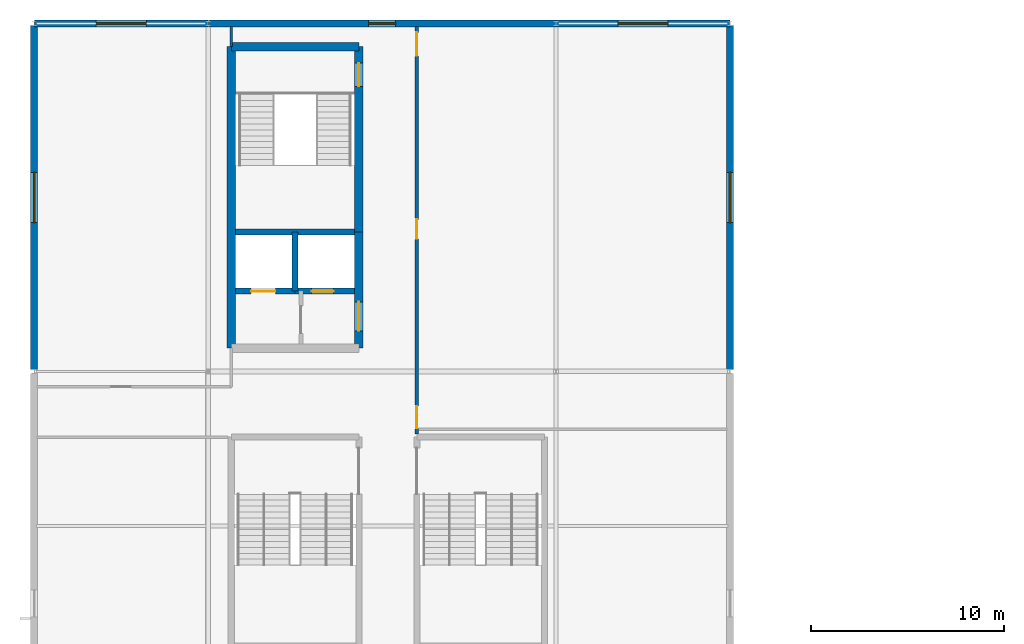
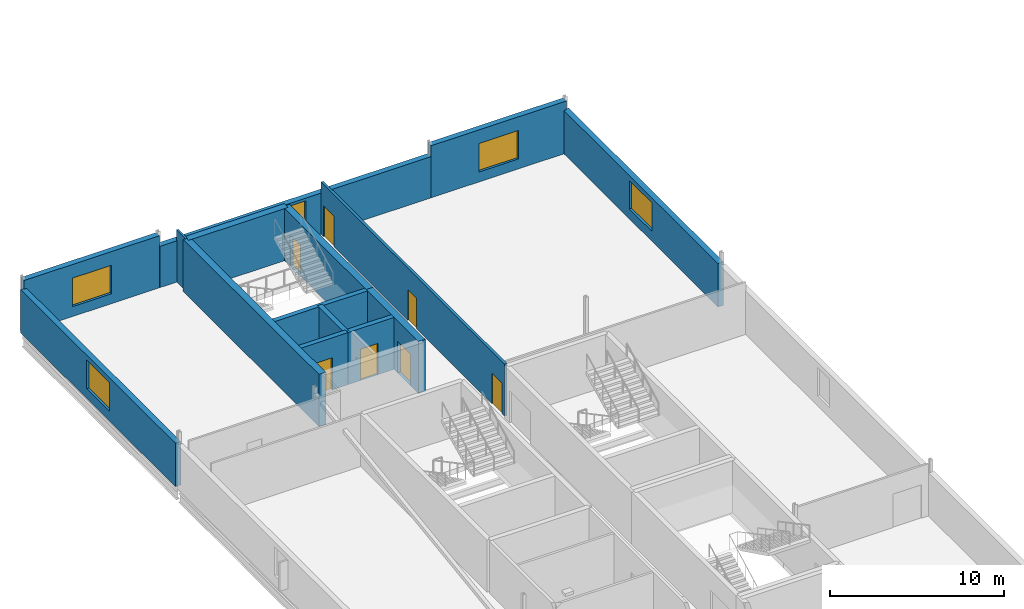
# One storey, part 21 of 35: 15 walls, 7 doors, 5 windows, 12 openings.
"""IFC4 building model written with IfcOpenShell, lengths in metres."""

import ifcopenshell
import ifcopenshell.guid

model = None  # the IFC model being written
_history = None  # IfcOwnerHistory: only IFC2X3 demands one
_inside = {}  # id of a spatial element -> (the spatial element, [elements in it])
_under = {}  # id of a project, library or spatial element -> (it, [spatial elements below it])
_declared = {}  # id of a project -> (the project, [libraries it declares])
_typed = {}  # id of a type object -> (the type object, [elements of that type])
_made_of = {}  # id of a material, layer set ... -> (it, [elements and type objects made of it])


def new_model(schema):
    """Start an empty IFC model of exactly this schema.

    Asked for "IFC4X3", IfcOpenShell would pick the latest addendum, in which some entities
    have other attributes; the version numbers below select the first issue.
    IFC2X3 requires an IfcOwnerHistory on every rooted entity: one is made here for all.
    """
    global model, _history
    if schema == "IFC4X3":
        model = ifcopenshell.file(schema_version=(4, 3, 0, 0))
    else:
        model = ifcopenshell.file(schema=schema)
    _inside.clear()
    _under.clear()
    _declared.clear()
    _typed.clear()
    _made_of.clear()
    _history = None
    if model.schema == "IFC2X3":
        org = make("IfcOrganization", Name="unknown")
        user = make(
            "IfcPersonAndOrganization",
            ThePerson=make("IfcPerson", FamilyName="unknown"),
            TheOrganization=org,
        )
        app = make(
            "IfcApplication",
            ApplicationDeveloper=org,
            Version="unknown",
            ApplicationFullName="unknown",
            ApplicationIdentifier="unknown",
        )
        _history = make(
            "IfcOwnerHistory",
            OwningUser=user,
            OwningApplication=app,
            ChangeAction="ADDED",
            CreationDate=0,
        )
    return model


def make(cls, **values):
    """One entity of the class cls with the attributes given. An attribute that is None is left unset."""
    return model.create_entity(
        cls, **{name: value for name, value in values.items() if value is not None}
    )


def rooted(cls, **values):
    """An entity with a GlobalId (a new one), such as an element, a storey or a relation."""
    return make(cls, GlobalId=ifcopenshell.guid.new(), OwnerHistory=_history, **values)


def si_unit(unit_type, name, prefix=None):
    """IfcSIUnit, for example si_unit("LENGTHUNIT", "METRE", prefix="MILLI")."""
    return make("IfcSIUnit", UnitType=unit_type, Prefix=prefix, Name=name)


def assignment(units):
    """IfcUnitAssignment: the units of a project."""
    return None if units is None else make("IfcUnitAssignment", Units=units)


def point(xyz):
    """IfcCartesianPoint."""
    return None if xyz is None else make("IfcCartesianPoint", Coordinates=xyz)


def direction(xyz):
    """IfcDirection."""
    return None if xyz is None else make("IfcDirection", DirectionRatios=xyz)


def frame(location, z_axis=None, x_axis=None):
    """IfcAxis2Placement3D, a coordinate frame: its origin and axes. An axis left out is left unset."""
    return make(
        "IfcAxis2Placement3D",
        Location=point(location),
        Axis=direction(z_axis),
        RefDirection=direction(x_axis),
    )


def frame_2d(location, x_axis=None):
    """IfcAxis2Placement2D, a coordinate frame in the plane: its origin and x axis."""
    return make(
        "IfcAxis2Placement2D", Location=point(location), RefDirection=direction(x_axis)
    )


def origin():
    """The frame at (0, 0, 0) with its axes left unset."""
    return frame((0.0, 0.0, 0.0))


def place(relative_to, where):
    """IfcLocalPlacement: puts the frame where relative to a parent placement (None: the world)."""
    return make(
        "IfcLocalPlacement", PlacementRelTo=relative_to, RelativePlacement=where
    )


def context(
    kind, dimensions, precision=None, world=None, true_north=None, identifier=None
):
    """IfcGeometricRepresentationContext, for example the 3D "Model" context."""
    return make(
        "IfcGeometricRepresentationContext",
        ContextIdentifier=identifier,
        ContextType=kind,
        CoordinateSpaceDimension=dimensions,
        Precision=precision,
        WorldCoordinateSystem=world,
        TrueNorth=true_north,
    )


def subcontext(parent, identifier, kind, view, scale=None):
    """IfcGeometricRepresentationSubContext, for example "Body" below "Model"."""
    return make(
        "IfcGeometricRepresentationSubContext",
        ContextIdentifier=identifier,
        ContextType=kind,
        ParentContext=parent,
        TargetScale=scale,
        TargetView=view,
    )


def project(units=None, contexts=None):
    """IfcProject with its units and contexts."""
    return rooted(
        "IfcProject",
        Name="project",
        RepresentationContexts=contexts,
        UnitsInContext=assignment(units),
    )


def spatial(cls, under=None, at=None, **own):
    """A site, building, storey or space (cls), placed at a placement, below another one or the project."""
    s = rooted(cls, ObjectPlacement=at, **own)
    if under is not None:
        _under.setdefault(under.id(), (under, []))[1].append(s)
    return s


def profile(cls, at=None, kind="AREA", **sizes):
    """A parametric profile (cls). Its sizes go by their IFC names, for example OverallWidth=200.0."""
    return make(cls, ProfileType=kind, Position=at, **sizes)


def rectangle(**sizes):
    """IfcRectangleProfileDef."""
    return profile("IfcRectangleProfileDef", **sizes)


def extrude(swept, where, along, depth):
    """IfcExtrudedAreaSolid: the profile swept, set in the frame where, extruded along a direction by depth."""
    return make(
        "IfcExtrudedAreaSolid",
        SweptArea=swept,
        Position=where,
        ExtrudedDirection=direction(along),
        Depth=depth,
    )


def shape(context_of_items, identifier, shape_type, items):
    """IfcShapeRepresentation: the items that make up one representation, for example the "Body"."""
    return make(
        "IfcShapeRepresentation",
        ContextOfItems=context_of_items,
        RepresentationIdentifier=identifier,
        RepresentationType=shape_type,
        Items=items,
    )


def material(Name=None, Category=None):
    """IfcMaterial."""
    return make("IfcMaterial", Name=Name, Category=Category)


def layer(
    of_material, thickness, ventilated=None, Name=None, Category=None, Priority=None
):
    """IfcMaterialLayer: one layer of a wall or slab, of a material (None: an air gap)."""
    return make(
        "IfcMaterialLayer",
        Material=of_material,
        LayerThickness=thickness,
        IsVentilated=ventilated,
        Name=Name,
        Category=Category,
        Priority=Priority,
    )


def layer_set(layers, Name=None):
    """IfcMaterialLayerSet."""
    return make("IfcMaterialLayerSet", MaterialLayers=layers, LayerSetName=Name)


def made_of(thing, what):
    """Note that an element or type object is made of a material, layer set ...; save() writes the relation."""
    if what is not None:
        _made_of.setdefault(what.id(), (what, []))[1].append(thing)
    return thing


def type_object(cls, material=None, **own):
    """A type object (cls), such as IfcWallType, which elements share."""
    return made_of(rooted(cls, **own), material)


def element(
    cls,
    number,
    at=None,
    inside=None,
    cuts=None,
    type_object=None,
    material=None,
    context=None,
    identifier="Body",
    shape_type=None,
    held_by="IfcProductDefinitionShape",
    body=None,
    shapes=None,
    **own,
):
    """One element of the class cls, such as IfcWall. Its Tag is "e" and its number.

    at: its placement. inside: the storey or other place that contains it. cuts: it is an
    opening in that element (IfcRelVoidsElement). A single representation is given by context,
    identifier, shape_type and body (its items); several are given by shapes. held_by: the class
    of the entity that holds the representations. save() writes the other relations.
    """
    e = rooted(cls, Tag="e%d" % number, ObjectPlacement=at, **own)
    if body is not None:
        shapes = [shape(context, identifier, shape_type, body)]
    if shapes is not None:
        e.Representation = make(held_by, Representations=shapes)
    if inside is not None:
        _inside.setdefault(inside.id(), (inside, []))[1].append(e)
    if cuts is not None:
        rooted(
            "IfcRelVoidsElement", RelatingBuildingElement=cuts, RelatedOpeningElement=e
        )
    if type_object is not None:
        _typed.setdefault(type_object.id(), (type_object, []))[1].append(e)
    return made_of(e, material)


def fill(opening, filler):
    """IfcRelFillsElement: the door or window that sits in an opening."""
    return rooted(
        "IfcRelFillsElement",
        RelatingOpeningElement=opening,
        RelatedBuildingElement=filler,
    )


def aggregate(whole, parts):
    """IfcRelAggregates: a whole, such as a stair, and the parts it consists of."""
    return rooted("IfcRelAggregates", RelatingObject=whole, RelatedObjects=parts)


def save(model, path):
    """Write the relations noted so far, then the file.

    IfcRelAggregates (storeys below a building ...), IfcRelContainedInSpatialStructure (elements
    in a storey), IfcRelDefinesByType, IfcRelAssociatesMaterial and IfcRelDeclares: one each for
    every whole, place, type object, material and project.
    """
    for whole, parts in _under.values():
        aggregate(whole, parts)
    for where, things in _inside.values():
        rooted(
            "IfcRelContainedInSpatialStructure",
            RelatedElements=things,
            RelatingStructure=where,
        )
    for kind, things in _typed.values():
        rooted("IfcRelDefinesByType", RelatedObjects=things, RelatingType=kind)
    for what, things in _made_of.values():
        rooted("IfcRelAssociatesMaterial", RelatedObjects=things, RelatingMaterial=what)
    for by, libraries in _declared.values():
        rooted("IfcRelDeclares", RelatingContext=by, RelatedDefinitions=libraries)
    model.write(path)


model = new_model("IFC4")

# Units and contexts
model_context = context("Model", 3, precision=1e-05, world=origin(), true_north=direction((0.0, 1.0)))
body_context = subcontext(model_context, "Body", "Model", "MODEL_VIEW")
ifc_project = project(units=[si_unit("LENGTHUNIT", "METRE"), si_unit("AREAUNIT", "SQUARE_METRE"), si_unit("VOLUMEUNIT", "CUBIC_METRE"), si_unit("PLANEANGLEUNIT", "RADIAN"), si_unit("MASSUNIT", "GRAM", prefix="KILO")], contexts=[model_context])

# Site, building, storey
site_placement = place(None, origin())
site = spatial("IfcSite", under=ifc_project, at=site_placement, CompositionType="ELEMENT")
building_placement = place(site_placement, origin())
building = spatial("IfcBuilding", under=site, at=building_placement, Name="Kisiwana Market Hall", CompositionType="ELEMENT")
storey_placement = place(building_placement, frame((0.0, 0.0, 57.89990234375)))
storey = spatial("IfcBuildingStorey", under=building, at=storey_placement, Name="L13", CompositionType="ELEMENT", Elevation=57.89990234375)

# Walls
ifc_material_1 = material(Name="Concrete C40/50", Category="concrete")
ifc_layer_1 = layer(ifc_material_1, 0.320068359375, Name="Reinforced concrete shaft wall")
ifc_layer_set_1 = layer_set([ifc_layer_1], Name="WL-CORE-320")
wall_type_1 = type_object("IfcWallType", Name="WL-CORE-320", PredefinedType="SHEAR", material=ifc_layer_set_1)
wall_1_placement = place(storey_placement, frame((10.425048828125, 91.215087890625, 0.0), z_axis=(0.0, 0.0, 1.0), x_axis=(1.0, 0.0, 0.0)))
element("IfcWall", 1, at=wall_1_placement, inside=storey, type_object=wall_type_1, Name="Core W1 shaft back shear wall W-3063", PredefinedType="SHEAR", context=body_context, shape_type="SweptSolid", body=[
    extrude(rectangle(XDim=6.14990234375, YDim=0.320068359375, at=frame_2d((3.074951171875, 0.0))), origin(), (0.0, 0.0, 1.0), 3.655029296875),
])
wall_2_placement = place(storey_placement, frame((13.5, 88.155029296875, 0.0), z_axis=(0.0, 0.0, 1.0), x_axis=(0.0, 1.0, 0.0)))
element("IfcWall", 2, at=wall_2_placement, inside=storey, type_object=wall_type_1, Name="Core W1 inter-shaft shear wall W-3064", PredefinedType="SHEAR", context=body_context, shape_type="SweptSolid", body=[
    extrude(rectangle(XDim=3.06005859375, YDim=0.320068359375, at=frame_2d((1.530029296875, 0.0))), origin(), (0.0, 0.0, 1.0), 3.655029296875),
])

# Wall, opening, door
wall_3_placement = place(storey_placement, frame((10.425048828125, 88.155029296875, 0.0), z_axis=(0.0, 0.0, 1.0), x_axis=(1.0, 0.0, 0.0)))
wall_3 = element("IfcWall", 3, at=wall_3_placement, inside=storey, type_object=wall_type_1, Name="Core W1 west lift front wall W-3065", PredefinedType="SHEAR", context=body_context, shape_type="SweptSolid", body=[
    extrude(rectangle(XDim=3.074951171875, YDim=0.320068359375, at=frame_2d((1.53759765625, 0.0))), origin(), (0.0, 0.0, 1.0), 3.655029296875),
])
opening_1_placement = place(wall_3_placement, frame((0.800048828125, 0.0, 0.0)))
opening_1 = element("IfcOpeningElement", 4, at=opening_1_placement, cuts=wall_3, Name="Opening LD-L13-003", PredefinedType="OPENING", context=body_context, shape_type="SweptSolid", body=[
    extrude(rectangle(XDim=1.25, YDim=2.25, at=frame_2d((0.625, 1.125))), frame((0.0, 0.171875, 0.0), z_axis=(0.0, -1.0, 0.0), x_axis=(1.0, 0.0, 0.0)), (0.0, 0.0, 1.0), 0.343994140625),
])
ifc_material_2 = material(Name="Steel S275", Category="steel")
door_type_1 = type_object("IfcDoorType", Name="DR-LIFT-FFL-1250", OperationType="DOUBLE_DOOR_SLIDING", PredefinedType="DOOR", material=ifc_material_2)
door_1_placement = place(opening_1_placement, origin())
door_1 = element("IfcDoor", 5, at=door_1_placement, inside=storey, type_object=door_type_1, Name="Lift Landing Door FFL-02 (L13)", OperationType="DOUBLE_DOOR_SLIDING", OverallHeight=2.25, OverallWidth=1.25, PredefinedType="DOOR", context=body_context, shape_type="SweptSolid", body=[
    extrude(rectangle(XDim=1.25, YDim=2.25, at=frame_2d((0.625, 1.125))), frame((0.0, 0.02490234375, 0.0), z_axis=(0.0, -1.0, 0.0), x_axis=(1.0, 0.0, 0.0)), (0.0, 0.0, 1.0), 0.050048828125),
])
fill(opening_1, door_1)

wall_4_placement = place(storey_placement, frame((13.5, 88.155029296875, 0.0), z_axis=(0.0, 0.0, 1.0), x_axis=(1.0, 0.0, 0.0)))
wall_4 = element("IfcWall", 6, at=wall_4_placement, inside=storey, type_object=wall_type_1, Name="Core W1 east lift front wall W-3066", PredefinedType="SHEAR", context=body_context, shape_type="SweptSolid", body=[
    extrude(rectangle(XDim=3.074951171875, YDim=0.320068359375, at=frame_2d((1.53759765625, 0.0))), origin(), (0.0, 0.0, 1.0), 3.655029296875),
])
opening_2_placement = place(wall_4_placement, frame((0.85009765625, 0.0, 0.0)))
opening_2 = element("IfcOpeningElement", 7, at=opening_2_placement, cuts=wall_4, Name="Opening LD-L13-004", PredefinedType="OPENING", context=body_context, shape_type="SweptSolid", body=[
    extrude(rectangle(XDim=1.14990234375, YDim=2.199951171875, at=frame_2d((0.574951171875, 1.10009765625))), frame((0.0, 0.171875, 0.0), z_axis=(0.0, -1.0, 0.0), x_axis=(1.0, 0.0, 0.0)), (0.0, 0.0, 1.0), 0.343994140625),
])
ifc_material_3 = material(Name="Steel S275", Category="steel")
door_type_2 = type_object("IfcDoorType", Name="DR-LIFT-PAX-1150", OperationType="DOUBLE_DOOR_SLIDING", PredefinedType="DOOR", material=ifc_material_3)
door_2_placement = place(opening_2_placement, origin())
door_2 = element("IfcDoor", 8, at=door_2_placement, inside=storey, type_object=door_type_2, Name="Lift Landing Door LP-02 (L13)", OperationType="DOUBLE_DOOR_SLIDING", OverallHeight=2.199951171875, OverallWidth=1.14990234375, PredefinedType="DOOR", context=body_context, shape_type="SweptSolid", body=[
    extrude(rectangle(XDim=1.14990234375, YDim=2.199951171875, at=frame_2d((0.574951171875, 1.10009765625))), frame((0.0, 0.02490234375, 0.0), z_axis=(0.0, -1.0, 0.0), x_axis=(1.0, 0.0, 0.0)), (0.0, 0.0, 1.0), 0.050048828125),
])
fill(opening_2, door_2)

# Walls
ifc_material_4 = material(Name="Concrete C40/50", Category="concrete")
ifc_layer_2 = layer(ifc_material_4, 0.449951171875, Name="Reinforced concrete core wall")
ifc_layer_set_2 = layer_set([ifc_layer_2], Name="WL-CORE-450")
wall_type_2 = type_object("IfcWallType", Name="WL-CORE-450", PredefinedType="SHEAR", material=ifc_layer_set_2)
wall_5_placement = place(storey_placement, frame((10.199951171875, 100.800048828125, 0.0), z_axis=(0.0, 0.0, 1.0), x_axis=(1.0, 0.0, 0.0)))
element("IfcWall", 9, at=wall_5_placement, inside=storey, type_object=wall_type_2, Name="Core W1 north shear wall W-3059", PredefinedType="SHEAR", context=body_context, shape_type="SweptSolid", body=[
    extrude(rectangle(XDim=6.60009765625, YDim=0.449951171875, at=frame_2d((3.300048828125, 0.0))), origin(), (0.0, 0.0, 1.0), 3.655029296875),
])
wall_6_placement = place(storey_placement, frame((10.199951171875, 85.199951171875, 0.0), z_axis=(0.0, 0.0, 1.0), x_axis=(0.0, 1.0, 0.0)))
element("IfcWall", 10, at=wall_6_placement, inside=storey, type_object=wall_type_2, Name="Core W1 outer shear wall W-3060", PredefinedType="SHEAR", context=body_context, shape_type="SweptSolid", body=[
    extrude(rectangle(XDim=15.60009765625, YDim=0.449951171875, at=frame_2d((7.800048828125, 0.0))), origin(), (0.0, 0.0, 1.0), 3.655029296875),
])

# Wall, opening, door
wall_7_placement = place(storey_placement, frame((16.800048828125, 85.199951171875, 0.0), z_axis=(0.0, 0.0, 1.0), x_axis=(0.0, 1.0, 0.0)))
wall_7 = element("IfcWall", 11, at=wall_7_placement, inside=storey, type_object=wall_type_2, Name="Core W1 lobby corridor shear wall W-3061", PredefinedType="SHEAR", context=body_context, shape_type="SweptSolid", body=[
    extrude(rectangle(XDim=6.01513671875, YDim=0.449951171875, at=frame_2d((3.007568359375, 0.0))), origin(), (0.0, 0.0, 1.0), 3.655029296875),
])
opening_3_placement = place(wall_7_placement, frame((0.89990234375, 0.0, 0.0)))
opening_3 = element("IfcOpeningElement", 12, at=opening_3_placement, cuts=wall_7, Name="Opening DR-L13-004", PredefinedType="OPENING", context=body_context, shape_type="SweptSolid", body=[
    extrude(rectangle(XDim=1.5, YDim=2.199951171875, at=frame_2d((0.75, 1.10009765625))), frame((0.0, 0.23681640625, 0.0), z_axis=(0.0, -1.0, 0.0), x_axis=(1.0, 0.0, 0.0)), (0.0, 0.0, 1.0), 0.473876953125),
])
ifc_material_5 = material(Name="Steel S275", Category="steel")
door_type_3 = type_object("IfcDoorType", Name="DR-CORR-FD60-1500", OperationType="DOUBLE_DOOR_SINGLE_SWING", PredefinedType="DOOR", material=ifc_material_5)
door_3_placement = place(opening_3_placement, frame((1.5, 0.0, 0.0), z_axis=(0.0, 0.0, 1.0), x_axis=(-1.0, 0.0, 0.0)))
door_3 = element("IfcDoor", 13, at=door_3_placement, inside=storey, type_object=door_type_3, Name="Passenger Lift Lobby W1 Smoke Door (L13)", OperationType="DOUBLE_DOOR_SINGLE_SWING", OverallHeight=2.199951171875, OverallWidth=1.5, PredefinedType="DOOR", context=body_context, shape_type="SweptSolid", body=[
    extrude(rectangle(XDim=1.5, YDim=2.199951171875, at=frame_2d((0.75, 1.10009765625))), frame((0.0, 0.02490234375, 0.0), z_axis=(0.0, -1.0, 0.0), x_axis=(1.0, 0.0, 0.0)), (0.0, 0.0, 1.0), 0.050048828125),
])
fill(opening_3, door_3)

wall_8_placement = place(storey_placement, frame((16.800048828125, 91.215087890625, 0.0), z_axis=(0.0, 0.0, 1.0), x_axis=(0.0, 1.0, 0.0)))
wall_8 = element("IfcWall", 14, at=wall_8_placement, inside=storey, type_object=wall_type_2, Name="Core W1 stair corridor shear wall W-3062", PredefinedType="SHEAR", context=body_context, shape_type="SweptSolid", body=[
    extrude(rectangle(XDim=9.5849609375, YDim=0.449951171875, at=frame_2d((4.79248046875, 0.0))), origin(), (0.0, 0.0, 1.0), 3.655029296875),
])
opening_4_placement = place(wall_8_placement, frame((7.534912109375, 0.0, 0.0)))
opening_4 = element("IfcOpeningElement", 15, at=opening_4_placement, cuts=wall_8, Name="Opening DR-L13-005", PredefinedType="OPENING", context=body_context, shape_type="SweptSolid", body=[
    extrude(rectangle(XDim=1.199951171875, YDim=2.199951171875, at=frame_2d((0.60009765625, 1.10009765625))), frame((0.0, 0.23681640625, 0.0), z_axis=(0.0, -1.0, 0.0), x_axis=(1.0, 0.0, 0.0)), (0.0, 0.0, 1.0), 0.473876953125),
])
ifc_material_6 = material(Name="Steel S275", Category="steel")
door_type_4 = type_object("IfcDoorType", Name="DR-STAIR-FD120-1200", OperationType="NOTDEFINED", PredefinedType="DOOR", material=ifc_material_6)
door_4_placement = place(opening_4_placement, origin())
door_4 = element("IfcDoor", 16, at=door_4_placement, inside=storey, type_object=door_type_4, Name="Escape Stair W1 Fire Door (L13)", OperationType="SINGLE_SWING_RIGHT", OverallHeight=2.199951171875, OverallWidth=1.199951171875, PredefinedType="DOOR", context=body_context, shape_type="SweptSolid", body=[
    extrude(rectangle(XDim=1.199951171875, YDim=2.199951171875, at=frame_2d((0.60009765625, 1.10009765625))), frame((0.0, 0.02490234375, 0.0), z_axis=(0.0, -1.0, 0.0), x_axis=(1.0, 0.0, 0.0)), (0.0, 0.0, 1.0), 0.050048828125),
])
fill(opening_4, door_4)

# Wall, openings, doors
ifc_material_7 = material(Name="Masonry blockwork", Category="masonry")
ifc_layer_3 = layer(ifc_material_7, 0.169921875, Name="Protected corridor partition")
ifc_layer_set_3 = layer_set([ifc_layer_3], Name="WL-CORR-170")
wall_type_3 = type_object("IfcWallType", Name="WL-CORR-170", PredefinedType="PARTITIONING", material=ifc_layer_set_3)
wall_9_placement = place(storey_placement, frame((19.800048828125, 80.760009765625, 0.0), z_axis=(0.0, 0.0, 1.0), x_axis=(0.0, 1.0, 0.0)))
wall_9 = element("IfcWall", 17, at=wall_9_placement, inside=storey, type_object=wall_type_3, Name="Interior partition W-3181", PredefinedType="PARTITIONING", context=body_context, shape_type="SweptSolid", body=[
    extrude(rectangle(XDim=21.08251953125, YDim=0.169921875, at=frame_2d((10.541259765625, 0.0))), origin(), (0.0, 0.0, 1.0), 3.655029296875),
])
opening_5_placement = place(wall_9_placement, frame((10.10107421875, 0.0, 0.0)))
opening_5 = element("IfcOpeningElement", 18, at=opening_5_placement, cuts=wall_9, Name="Opening DR-L13-036", PredefinedType="OPENING", context=body_context, shape_type="SweptSolid", body=[
    extrude(rectangle(XDim=1.0, YDim=2.14990234375, at=frame_2d((0.5, 1.074951171875))), frame((0.0, 0.096923828125, 0.0), z_axis=(0.0, -1.0, 0.0), x_axis=(1.0, 0.0, 0.0)), (0.0, 0.0, 1.0), 0.19384765625),
])
opening_6_placement = place(wall_9_placement, frame((0.300048828125, 0.0, 0.0)))
opening_6 = element("IfcOpeningElement", 19, at=opening_6_placement, cuts=wall_9, Name="Opening DR-L13-037", PredefinedType="OPENING", context=body_context, shape_type="SweptSolid", body=[
    extrude(rectangle(XDim=1.14990234375, YDim=2.14990234375, at=frame_2d((0.574951171875, 1.074951171875))), frame((0.0, 0.096923828125, 0.0), z_axis=(0.0, -1.0, 0.0), x_axis=(1.0, 0.0, 0.0)), (0.0, 0.0, 1.0), 0.19384765625),
])
opening_7_placement = place(wall_9_placement, frame((19.56298828125, 0.0, 0.0)))
opening_7 = element("IfcOpeningElement", 20, at=opening_7_placement, cuts=wall_9, Name="Opening DR-L13-038", PredefinedType="OPENING", context=body_context, shape_type="SweptSolid", body=[
    extrude(rectangle(XDim=1.219970703125, YDim=2.14990234375, at=frame_2d((0.60986328125, 1.074951171875))), frame((0.0, 0.096923828125, 0.0), z_axis=(0.0, -1.0, 0.0), x_axis=(1.0, 0.0, 0.0)), (0.0, 0.0, 1.0), 0.19384765625),
])
ifc_material_8 = material(Name="Aluminium alloy 6063-T6", Category="aluminium")
door_type_5 = type_object("IfcDoorType", Name="DR-MEET-1150", OperationType="NOTDEFINED", PredefinedType="DOOR", material=ifc_material_8)
door_5_placement = place(opening_6_placement, frame((1.14990234375, 0.0, 0.0), z_axis=(0.0, 0.0, 1.0), x_axis=(-1.0, 0.0, 0.0)))
door_5 = element("IfcDoor", 21, at=door_5_placement, inside=storey, type_object=door_type_5, Name="L13 W Director Boardroom C2 Door", OperationType="SINGLE_SWING_RIGHT", OverallHeight=2.14990234375, OverallWidth=1.14990234375, PredefinedType="DOOR", context=body_context, shape_type="SweptSolid", body=[
    extrude(rectangle(XDim=1.14990234375, YDim=2.14990234375, at=frame_2d((0.574951171875, 1.074951171875))), frame((0.0, 0.02490234375, 0.0), z_axis=(0.0, -1.0, 0.0), x_axis=(1.0, 0.0, 0.0)), (0.0, 0.0, 1.0), 0.050048828125),
])
fill(opening_6, door_5)
ifc_material_9 = material(Name="Aluminium alloy 6063-T6", Category="aluminium")
door_type_6 = type_object("IfcDoorType", Name="DR-OFF-1000", OperationType="NOTDEFINED", PredefinedType="DOOR", material=ifc_material_9)
door_6_placement = place(opening_5_placement, frame((1.0, 0.0, 0.0), z_axis=(0.0, 0.0, 1.0), x_axis=(-1.0, 0.0, 0.0)))
door_6 = element("IfcDoor", 22, at=door_6_placement, inside=storey, type_object=door_type_6, Name="L13 W Executive Corner Suite C4 Door", OperationType="SINGLE_SWING_RIGHT", OverallHeight=2.14990234375, OverallWidth=1.0, PredefinedType="DOOR", context=body_context, shape_type="SweptSolid", body=[
    extrude(rectangle(XDim=1.0, YDim=2.14990234375, at=frame_2d((0.5, 1.074951171875))), frame((0.0, 0.02490234375, 0.0), z_axis=(0.0, -1.0, 0.0), x_axis=(1.0, 0.0, 0.0)), (0.0, 0.0, 1.0), 0.050048828125),
])
fill(opening_5, door_6)
ifc_material_10 = material(Name="Hardwood timber", Category="wood")
door_type_7 = type_object("IfcDoorType", Name="DR-STOR-FD60-1220", OperationType="NOTDEFINED", PredefinedType="DOOR", material=ifc_material_10)
door_7_placement = place(opening_7_placement, frame((1.219970703125, 0.0, 0.0), z_axis=(0.0, 0.0, 1.0), x_axis=(-1.0, 0.0, 0.0)))
door_7 = element("IfcDoor", 23, at=door_7_placement, inside=storey, type_object=door_type_7, Name="L13 W Legal Advisory Suite C3 Door", OperationType="SINGLE_SWING_LEFT", OverallHeight=2.14990234375, OverallWidth=1.219970703125, PredefinedType="DOOR", context=body_context, shape_type="SweptSolid", body=[
    extrude(rectangle(XDim=1.219970703125, YDim=2.14990234375, at=frame_2d((0.60986328125, 1.074951171875))), frame((0.0, 0.02490234375, 0.0), z_axis=(0.0, -1.0, 0.0), x_axis=(1.0, 0.0, 0.0)), (0.0, 0.0, 1.0), 0.050048828125),
])
fill(opening_7, door_7)

# Wall, opening, window
ifc_material_11 = material(Name="Concrete C40/50 precast", Category="concrete")
ifc_layer_4 = layer(ifc_material_11, 0.364990234375)
ifc_layer_set_4 = layer_set([ifc_layer_4], Name="WL-EXT-365")
wall_type_4 = type_object("IfcWallType", Name="WL-EXT-365", PredefinedType="STANDARD", material=ifc_layer_set_4)
wall_10_placement = place(storey_placement, frame((0.010009765625, 102.0, 0.0), z_axis=(0.0, 0.0, 1.0), x_axis=(1.0, 0.0, 0.0)))
wall_10 = element("IfcWall", 24, at=wall_10_placement, inside=storey, type_object=wall_type_4, Name="Exterior wall W-3139", PredefinedType="STANDARD", context=body_context, shape_type="SweptSolid", body=[
    extrude(rectangle(XDim=8.97998046875, YDim=0.364990234375, at=frame_2d((4.489990234375, 0.0))), origin(), (0.0, 0.0, 1.0), 3.655029296875),
])
opening_8_placement = place(wall_10_placement, frame((3.18994140625, 0.0, 0.699951171875)))
opening_8 = element("IfcOpeningElement", 25, at=opening_8_placement, cuts=wall_10, Name="Opening WN-13", PredefinedType="OPENING", context=body_context, shape_type="SweptSolid", body=[
    extrude(rectangle(XDim=2.60009765625, YDim=2.0, at=frame_2d((1.300048828125, 1.0))), frame((0.0, 0.1943359375, 0.0), z_axis=(0.0, -1.0, 0.0), x_axis=(1.0, 0.0, 0.0)), (0.0, 0.0, 1.0), 0.388916015625),
])
ifc_material_12 = material(Name="Double-glazed solar-control low-E IGU", Category="glass")
window_type_1 = type_object("IfcWindowType", Name="WN-OFFC-2600x2000", PartitioningType="SINGLE_PANEL", PredefinedType="WINDOW", material=ifc_material_12)
window_1_placement = place(opening_8_placement, origin())
window_1 = element("IfcWindow", 26, at=window_1_placement, inside=storey, type_object=window_type_1, Name="Exterior window WN-370", OverallHeight=2.0, OverallWidth=2.60009765625, PartitioningType="SINGLE_PANEL", PredefinedType="WINDOW", context=body_context, shape_type="SweptSolid", body=[
    extrude(rectangle(XDim=2.60009765625, YDim=2.0, at=frame_2d((1.300048828125, 1.0))), frame((0.0, 0.030029296875, 0.0), z_axis=(0.0, -1.0, 0.0), x_axis=(1.0, 0.0, 0.0)), (0.0, 0.0, 1.0), 0.06005859375),
])
fill(opening_8, window_1)

wall_11_placement = place(storey_placement, frame((9.010009765625, 102.0, 0.0), z_axis=(0.0, 0.0, 1.0), x_axis=(1.0, 0.0, 0.0)))
wall_11 = element("IfcWall", 27, at=wall_11_placement, inside=storey, type_object=wall_type_4, Name="Exterior wall W-3140", PredefinedType="STANDARD", context=body_context, shape_type="SweptSolid", body=[
    extrude(rectangle(XDim=17.97998046875, YDim=0.364990234375, at=frame_2d((8.989990234375, 0.0))), origin(), (0.0, 0.0, 1.0), 2.892822265625),
])
opening_9_placement = place(wall_11_placement, frame((8.2900390625, 0.0, 0.699951171875)))
opening_9 = element("IfcOpeningElement", 28, at=opening_9_placement, cuts=wall_11, Name="Opening WN-05", PredefinedType="OPENING", context=body_context, shape_type="SweptSolid", body=[
    extrude(rectangle(XDim=1.39990234375, YDim=2.0, at=frame_2d((0.699951171875, 1.0))), frame((0.0, 0.1943359375, 0.0), z_axis=(0.0, -1.0, 0.0), x_axis=(1.0, 0.0, 0.0)), (0.0, 0.0, 1.0), 0.388916015625),
])
ifc_material_13 = material(Name="Double-glazed solar-control low-E IGU", Category="glass")
window_type_2 = type_object("IfcWindowType", Name="WN-OFFC-1400x2000", PartitioningType="SINGLE_PANEL", PredefinedType="WINDOW", material=ifc_material_13)
window_2_placement = place(opening_9_placement, origin())
window_2 = element("IfcWindow", 29, at=window_2_placement, inside=storey, type_object=window_type_2, Name="Exterior window WN-356", OverallHeight=2.0, OverallWidth=1.39990234375, PartitioningType="SINGLE_PANEL", PredefinedType="WINDOW", context=body_context, shape_type="SweptSolid", body=[
    extrude(rectangle(XDim=1.39990234375, YDim=2.0, at=frame_2d((0.699951171875, 1.0))), frame((0.0, 0.030029296875, 0.0), z_axis=(0.0, -1.0, 0.0), x_axis=(1.0, 0.0, 0.0)), (0.0, 0.0, 1.0), 0.06005859375),
])
fill(opening_9, window_2)

wall_12_placement = place(storey_placement, frame((27.010009765625, 102.0, 0.0), z_axis=(0.0, 0.0, 1.0), x_axis=(1.0, 0.0, 0.0)))
wall_12 = element("IfcWall", 30, at=wall_12_placement, inside=storey, type_object=wall_type_4, Name="Exterior wall W-3141", PredefinedType="STANDARD", context=body_context, shape_type="SweptSolid", body=[
    extrude(rectangle(XDim=8.97998046875, YDim=0.364990234375, at=frame_2d((4.489990234375, 0.0))), origin(), (0.0, 0.0, 1.0), 3.655029296875),
])
opening_10_placement = place(wall_12_placement, frame((3.18994140625, 0.0, 0.699951171875)))
opening_10 = element("IfcOpeningElement", 31, at=opening_10_placement, cuts=wall_12, Name="Opening WN-13", PredefinedType="OPENING", context=body_context, shape_type="SweptSolid", body=[
    extrude(rectangle(XDim=2.60009765625, YDim=2.0, at=frame_2d((1.300048828125, 1.0))), frame((0.0, 0.1943359375, 0.0), z_axis=(0.0, -1.0, 0.0), x_axis=(1.0, 0.0, 0.0)), (0.0, 0.0, 1.0), 0.388916015625),
])
window_3_placement = place(opening_10_placement, origin())
window_3 = element("IfcWindow", 32, at=window_3_placement, inside=storey, type_object=window_type_1, Name="Exterior window WN-371", OverallHeight=2.0, OverallWidth=2.60009765625, PartitioningType="SINGLE_PANEL", PredefinedType="WINDOW", context=body_context, shape_type="SweptSolid", body=[
    extrude(rectangle(XDim=2.60009765625, YDim=2.0, at=frame_2d((1.300048828125, 1.0))), frame((0.0, 0.030029296875, 0.0), z_axis=(0.0, -1.0, 0.0), x_axis=(1.0, 0.0, 0.0)), (0.0, 0.0, 1.0), 0.06005859375),
])
fill(opening_10, window_3)

wall_13_placement = place(storey_placement, frame((0.0, 84.107666015625, 0.0), z_axis=(0.0, 0.0, 1.0), x_axis=(0.0, 1.0, 0.0)))
wall_13 = element("IfcWall", 33, at=wall_13_placement, inside=storey, type_object=wall_type_4, Name="Exterior wall W-3148", PredefinedType="STANDARD", context=body_context, shape_type="SweptSolid", body=[
    extrude(rectangle(XDim=17.78466796875, YDim=0.364990234375, at=frame_2d((8.892333984375, 0.0))), origin(), (0.0, 0.0, 1.0), 3.04296875),
])
opening_11_placement = place(wall_13_placement, frame((7.59228515625, 0.0, 0.699951171875)))
opening_11 = element("IfcOpeningElement", 34, at=opening_11_placement, cuts=wall_13, Name="Opening WN-13", PredefinedType="OPENING", context=body_context, shape_type="SweptSolid", body=[
    extrude(rectangle(XDim=2.60009765625, YDim=2.0, at=frame_2d((1.300048828125, 1.0))), frame((0.0, 0.1943359375, 0.0), z_axis=(0.0, -1.0, 0.0), x_axis=(1.0, 0.0, 0.0)), (0.0, 0.0, 1.0), 0.388916015625),
])
window_4_placement = place(opening_11_placement, origin())
window_4 = element("IfcWindow", 35, at=window_4_placement, inside=storey, type_object=window_type_1, Name="Exterior window WN-375", OverallHeight=2.0, OverallWidth=2.60009765625, PartitioningType="SINGLE_PANEL", PredefinedType="WINDOW", context=body_context, shape_type="SweptSolid", body=[
    extrude(rectangle(XDim=2.60009765625, YDim=2.0, at=frame_2d((1.300048828125, 1.0))), frame((0.0, 0.030029296875, 0.0), z_axis=(0.0, -1.0, 0.0), x_axis=(1.0, 0.0, 0.0)), (0.0, 0.0, 1.0), 0.06005859375),
])
fill(opening_11, window_4)

wall_14_placement = place(storey_placement, frame((36.0, 84.107666015625, 0.0), z_axis=(0.0, 0.0, 1.0), x_axis=(0.0, 1.0, 0.0)))
wall_14 = element("IfcWall", 36, at=wall_14_placement, inside=storey, type_object=wall_type_4, Name="Exterior wall W-3152", PredefinedType="STANDARD", context=body_context, shape_type="SweptSolid", body=[
    extrude(rectangle(XDim=17.78466796875, YDim=0.364990234375, at=frame_2d((8.892333984375, 0.0))), origin(), (0.0, 0.0, 1.0), 3.04296875),
])
opening_12_placement = place(wall_14_placement, frame((7.59228515625, 0.0, 0.699951171875)))
opening_12 = element("IfcOpeningElement", 37, at=opening_12_placement, cuts=wall_14, Name="Opening WN-13", PredefinedType="OPENING", context=body_context, shape_type="SweptSolid", body=[
    extrude(rectangle(XDim=2.60009765625, YDim=2.0, at=frame_2d((1.300048828125, 1.0))), frame((0.0, 0.1943359375, 0.0), z_axis=(0.0, -1.0, 0.0), x_axis=(1.0, 0.0, 0.0)), (0.0, 0.0, 1.0), 0.388916015625),
])
window_5_placement = place(opening_12_placement, origin())
window_5 = element("IfcWindow", 38, at=window_5_placement, inside=storey, type_object=window_type_1, Name="Exterior window WN-377", OverallHeight=2.0, OverallWidth=2.60009765625, PartitioningType="SINGLE_PANEL", PredefinedType="WINDOW", context=body_context, shape_type="SweptSolid", body=[
    extrude(rectangle(XDim=2.60009765625, YDim=2.0, at=frame_2d((1.300048828125, 1.0))), frame((0.0, 0.030029296875, 0.0), z_axis=(0.0, -1.0, 0.0), x_axis=(1.0, 0.0, 0.0)), (0.0, 0.0, 1.0), 0.06005859375),
])
fill(opening_12, window_5)

# Wall
ifc_material_14 = material(Name="Gypsum plasterboard")
ifc_layer_5 = layer(ifc_material_14, 0.125, Name="Double gypsum board + acoustic stud")
ifc_layer_set_5 = layer_set([ifc_layer_5], Name="WL-OFF-125")
wall_type_5 = type_object("IfcWallType", Name="WL-OFF-125", PredefinedType="PARTITIONING", material=ifc_layer_set_5)
wall_15_placement = place(storey_placement, frame((10.199951171875, 100.800048828125, 0.0), z_axis=(0.0, 0.0, 1.0), x_axis=(0.0, 1.0, 0.0)))
element("IfcWall", 39, at=wall_15_placement, inside=storey, type_object=wall_type_5, Name="Interior partition W-3172", PredefinedType="PARTITIONING", context=body_context, shape_type="SweptSolid", body=[
    extrude(rectangle(XDim=1.04248046875, YDim=0.125, at=frame_2d((0.521240234375, 0.0))), origin(), (0.0, 0.0, 1.0), 3.655029296875),
])

save(model, "model.ifc")
